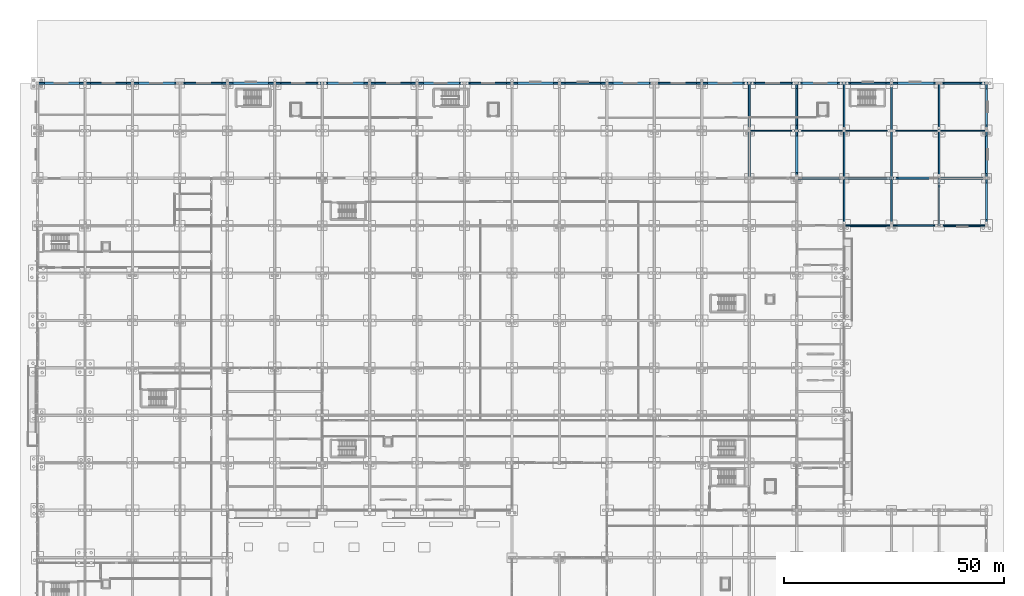
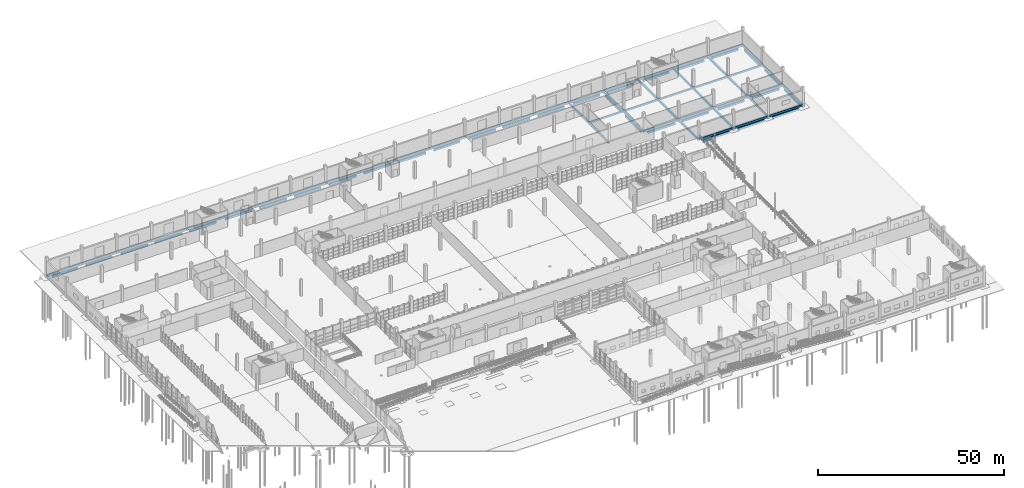
# One storey, part 78 of 138: 80 beams.
"""IFC4 building model written with IfcOpenShell, lengths in metres."""

from ifc_helpers import new_model, si_unit, direction, frame, origin, origin_2d, place, context, subcontext, project, spatial, rectangle, extrude, material, material_profile, profile_set, type_object, element, save


model = new_model("IFC4")

# Units and contexts
model_context = context("Model", 3, precision=1e-05, world=origin(), true_north=direction((0.0, 1.0)))
body_context = subcontext(model_context, "Body", "Model", "MODEL_VIEW")
ifc_project = project(units=[si_unit("LENGTHUNIT", "METRE"), si_unit("AREAUNIT", "SQUARE_METRE"), si_unit("VOLUMEUNIT", "CUBIC_METRE"), si_unit("PLANEANGLEUNIT", "RADIAN"), si_unit("MASSUNIT", "GRAM", prefix="KILO")], contexts=[model_context])

# Site, building, storey
site_placement = place(None, origin())
site = spatial("IfcSite", under=ifc_project, at=site_placement, CompositionType="ELEMENT")
building_placement = place(site_placement, origin())
building = spatial("IfcBuilding", under=site, at=building_placement, Name="Zwinboog Wholesale Market", CompositionType="ELEMENT")
storey_placement = place(building_placement, origin())
storey = spatial("IfcBuildingStorey", under=building, at=storey_placement, Name="L00", CompositionType="ELEMENT", Elevation=0.0)

# Beams
ifc_material_1 = material(Name="Precast concrete C45/55", Category="concrete")
ifc_material_profile_1 = material_profile(ifc_material_1, rectangle(XDim=0.39990234375, YDim=0.64990234375, at=origin_2d()), Name="PC 400x650")
ifc_profile_set_1 = profile_set([ifc_material_profile_1], Name="Precast concrete C45/55")
beam_type_1 = type_object("IfcBeamType", Name="BT-05", PredefinedType="BEAM", material=ifc_profile_set_1)
beam_1_placement = place(storey_placement, frame((172.800048828125, 108.0, -0.719970703125), z_axis=(1.0, 0.0, 0.0), x_axis=(0.0, 1.0, 0.0)))
element("IfcBeam", 1, at=beam_1_placement, inside=storey, type_object=beam_type_1, Name="BG-05 (BMG-L00-1728-1080-0167)", PredefinedType="BEAM", context=body_context, shape_type="SweptSolid", body=[
    extrude(rectangle(XDim=0.39990234375, YDim=0.64990234375, at=origin_2d()), origin(), (0.0, 0.0, 1.0), 10.800048828125),
])
beam_2_placement = place(storey_placement, frame((183.60009765625, 108.0, -0.719970703125), z_axis=(1.0, 0.0, 0.0), x_axis=(0.0, 1.0, 0.0)))
element("IfcBeam", 2, at=beam_2_placement, inside=storey, type_object=beam_type_1, Name="BG-05 (BMG-L00-1836-1080-0168)", PredefinedType="BEAM", context=body_context, shape_type="SweptSolid", body=[
    extrude(rectangle(XDim=0.39990234375, YDim=0.64990234375, at=origin_2d()), origin(), (0.0, 0.0, 1.0), 10.7998046875),
])
for number, where, z_axis, x_axis, name in (
    (3, (194.39990234375, 108.0, -0.719970703125), (1.0, 0.0, 0.0), (0.0, 1.0, 0.0), "BG-05 (BMG-L00-1944-1080-0169)"),
    (4, (205.199951171875, 108.0, -0.719970703125), (1.0, 0.0, 0.0), (0.0, 1.0, 0.0), "BG-05 (BMG-L00-2052-1080-0170)"),
    (5, (0.0, 129.60009765625, -0.675048828125), (1.0, 0.0, 0.0), (0.0, 1.0, 0.0), "BG-05 (BMG-L00-0000-1296-0191)"),
    (6, (10.800048828125, 129.60009765625, -0.675048828125), (1.0, 0.0, 0.0), (0.0, 1.0, 0.0), "BG-05 (BMG-L00-0108-1296-0192)"),
):
    element("IfcBeam", number, at=place(storey_placement, frame(where, z_axis=z_axis, x_axis=x_axis)), inside=storey, type_object=beam_type_1, Name=name, PredefinedType="BEAM", context=body_context, shape_type="SweptSolid", body=[
        extrude(rectangle(XDim=0.39990234375, YDim=0.64990234375, at=origin_2d()), origin(), (0.0, 0.0, 1.0), 10.800048828125),
    ])
beam_3_placement = place(storey_placement, frame((21.60009765625, 129.60009765625, -0.675048828125), z_axis=(1.0, 0.0, 0.0), x_axis=(0.0, 1.0, 0.0)))
element("IfcBeam", 7, at=beam_3_placement, inside=storey, type_object=beam_type_1, Name="BG-05 (BMG-L00-0216-1296-0193)", PredefinedType="BEAM", context=body_context, shape_type="SweptSolid", body=[
    extrude(rectangle(XDim=0.39990234375, YDim=0.64990234375, at=origin_2d()), origin(), (0.0, 0.0, 1.0), 10.7998046875),
])
for number, where, z_axis, x_axis, name in (
    (8, (32.39990234375, 129.60009765625, -0.705078125), (1.0, 0.0, 0.0), (0.0, 1.0, 0.0), "BG-05 (BMG-L00-0324-1296-0194)"),
    (9, (43.199951171875, 129.60009765625, -0.705078125), (1.0, 0.0, 0.0), (0.0, 1.0, 0.0), "BG-05 (BMG-L00-0432-1296-0195)"),
    (10, (54.0, 129.60009765625, -0.705078125), (1.0, 0.0, 0.0), (0.0, 1.0, 0.0), "BG-05 (BMG-L00-0540-1296-0196)"),
    (11, (64.800048828125, 129.60009765625, -0.705078125), (1.0, 0.0, 0.0), (0.0, 1.0, 0.0), "BG-05 (BMG-L00-0648-1296-0197)"),
):
    element("IfcBeam", number, at=place(storey_placement, frame(where, z_axis=z_axis, x_axis=x_axis)), inside=storey, type_object=beam_type_1, Name=name, PredefinedType="BEAM", context=body_context, shape_type="SweptSolid", body=[
        extrude(rectangle(XDim=0.39990234375, YDim=0.64990234375, at=origin_2d()), origin(), (0.0, 0.0, 1.0), 10.800048828125),
    ])
beam_4_placement = place(storey_placement, frame((75.60009765625, 129.60009765625, -0.705078125), z_axis=(1.0, 0.0, 0.0), x_axis=(0.0, 1.0, 0.0)))
element("IfcBeam", 12, at=beam_4_placement, inside=storey, type_object=beam_type_1, Name="BG-05 (BMG-L00-0756-1296-0198)", PredefinedType="BEAM", context=body_context, shape_type="SweptSolid", body=[
    extrude(rectangle(XDim=0.39990234375, YDim=0.64990234375, at=origin_2d()), origin(), (0.0, 0.0, 1.0), 10.7998046875),
])
for number, where, z_axis, x_axis, name in (
    (13, (86.39990234375, 129.60009765625, -0.705078125), (1.0, 0.0, 0.0), (0.0, 1.0, 0.0), "BG-05 (BMG-L00-0864-1296-0199)"),
    (14, (97.199951171875, 129.60009765625, -0.6669921875), (1.0, 0.0, 0.0), (0.0, 1.0, 0.0), "BG-05 (BMG-L00-0972-1296-0200)"),
    (15, (108.0, 129.60009765625, -0.6669921875), (1.0, 0.0, 0.0), (0.0, 1.0, 0.0), "BG-05 (BMG-L00-1080-1296-0201)"),
    (16, (118.800048828125, 129.60009765625, -0.6669921875), (1.0, 0.0, 0.0), (0.0, 1.0, 0.0), "BG-05 (BMG-L00-1188-1296-0202)"),
):
    element("IfcBeam", number, at=place(storey_placement, frame(where, z_axis=z_axis, x_axis=x_axis)), inside=storey, type_object=beam_type_1, Name=name, PredefinedType="BEAM", context=body_context, shape_type="SweptSolid", body=[
        extrude(rectangle(XDim=0.39990234375, YDim=0.64990234375, at=origin_2d()), origin(), (0.0, 0.0, 1.0), 10.800048828125),
    ])
beam_5_placement = place(storey_placement, frame((129.60009765625, 129.60009765625, -0.6669921875), z_axis=(1.0, 0.0, 0.0), x_axis=(0.0, 1.0, 0.0)))
element("IfcBeam", 17, at=beam_5_placement, inside=storey, type_object=beam_type_1, Name="BG-05 (BMG-L00-1296-1296-0203)", PredefinedType="BEAM", context=body_context, shape_type="SweptSolid", body=[
    extrude(rectangle(XDim=0.39990234375, YDim=0.64990234375, at=origin_2d()), origin(), (0.0, 0.0, 1.0), 10.7998046875),
])
for number, where, z_axis, x_axis, name in (
    (18, (140.39990234375, 129.60009765625, -0.659912109375), (1.0, 0.0, 0.0), (0.0, 1.0, 0.0), "BG-05 (BMG-L00-1404-1296-0204)"),
    (19, (151.199951171875, 129.60009765625, -0.659912109375), (1.0, 0.0, 0.0), (0.0, 1.0, 0.0), "BG-05 (BMG-L00-1512-1296-0205)"),
    (20, (162.0, 129.60009765625, -0.68994140625), (1.0, 0.0, 0.0), (0.0, 1.0, 0.0), "BG-05 (BMG-L00-1620-1296-0206)"),
    (21, (172.800048828125, 129.60009765625, -0.68994140625), (1.0, 0.0, 0.0), (0.0, 1.0, 0.0), "BG-05 (BMG-L00-1728-1296-0207)"),
):
    element("IfcBeam", number, at=place(storey_placement, frame(where, z_axis=z_axis, x_axis=x_axis)), inside=storey, type_object=beam_type_1, Name=name, PredefinedType="BEAM", context=body_context, shape_type="SweptSolid", body=[
        extrude(rectangle(XDim=0.39990234375, YDim=0.64990234375, at=origin_2d()), origin(), (0.0, 0.0, 1.0), 10.800048828125),
    ])
beam_6_placement = place(storey_placement, frame((183.60009765625, 129.60009765625, -0.68994140625), z_axis=(1.0, 0.0, 0.0), x_axis=(0.0, 1.0, 0.0)))
element("IfcBeam", 22, at=beam_6_placement, inside=storey, type_object=beam_type_1, Name="BG-05 (BMG-L00-1836-1296-0208)", PredefinedType="BEAM", context=body_context, shape_type="SweptSolid", body=[
    extrude(rectangle(XDim=0.39990234375, YDim=0.64990234375, at=origin_2d()), origin(), (0.0, 0.0, 1.0), 10.7998046875),
])
for number, where, z_axis, x_axis, name in (
    (23, (194.39990234375, 129.60009765625, -0.68994140625), (1.0, 0.0, 0.0), (0.0, 1.0, 0.0), "BG-05 (BMG-L00-1944-1296-0209)"),
    (24, (205.199951171875, 129.60009765625, -0.68994140625), (1.0, 0.0, 0.0), (0.0, 1.0, 0.0), "BG-05 (BMG-L00-2052-1296-0210)"),
    (25, (162.0, 108.0, -0.680908203125), (0.0, 1.0, 0.0), (-1.0, 0.0, 0.0), "BG-05 (BMG-L00-1620-1080-0375)"),
    (26, (162.0, 118.800048828125, -0.659912109375), (0.0, 1.0, 0.0), (-1.0, 0.0, 0.0), "BG-05 (BMG-L00-1620-1188-0376)"),
    (27, (172.800048828125, 108.0, -0.719970703125), (0.0, 1.0, 0.0), (-1.0, 0.0, 0.0), "BG-05 (BMG-L00-1728-1080-0387)"),
    (28, (172.800048828125, 118.800048828125, -0.68994140625), (0.0, 1.0, 0.0), (-1.0, 0.0, 0.0), "BG-05 (BMG-L00-1728-1188-0388)"),
    (29, (183.60009765625, 97.199951171875, -0.719970703125), (0.0, 1.0, 0.0), (-1.0, 0.0, 0.0), "BG-05 (BMG-L00-1836-0972-0392)"),
    (30, (183.60009765625, 108.0, -0.719970703125), (0.0, 1.0, 0.0), (-1.0, 0.0, 0.0), "BG-05 (BMG-L00-1836-1080-0393)"),
    (31, (183.60009765625, 118.800048828125, -0.68994140625), (0.0, 1.0, 0.0), (-1.0, 0.0, 0.0), "BG-05 (BMG-L00-1836-1188-0394)"),
    (32, (194.39990234375, 97.199951171875, -0.719970703125), (0.0, 1.0, 0.0), (-1.0, 0.0, 0.0), "BG-05 (BMG-L00-1944-0972-0398)"),
    (33, (194.39990234375, 108.0, -0.719970703125), (0.0, 1.0, 0.0), (-1.0, 0.0, 0.0), "BG-05 (BMG-L00-1944-1080-0399)"),
    (34, (194.39990234375, 118.800048828125, -0.68994140625), (0.0, 1.0, 0.0), (-1.0, 0.0, 0.0), "BG-05 (BMG-L00-1944-1188-0400)"),
    (35, (205.199951171875, 97.199951171875, -0.719970703125), (0.0, 1.0, 0.0), (-1.0, 0.0, 0.0), "BG-05 (BMG-L00-2052-0972-0404)"),
    (36, (205.199951171875, 108.0, -0.719970703125), (0.0, 1.0, 0.0), (-1.0, 0.0, 0.0), "BG-05 (BMG-L00-2052-1080-0405)"),
    (37, (205.199951171875, 118.800048828125, -0.68994140625), (0.0, 1.0, 0.0), (-1.0, 0.0, 0.0), "BG-05 (BMG-L00-2052-1188-0406)"),
    (38, (216.0, 97.199951171875, -0.719970703125), (0.0, 1.0, 0.0), (-1.0, 0.0, 0.0), "BG-05 (BMG-L00-2160-0972-0410)"),
    (39, (216.0, 108.0, -0.719970703125), (0.0, 1.0, 0.0), (-1.0, 0.0, 0.0), "BG-05 (BMG-L00-2160-1080-0411)"),
    (40, (216.0, 118.800048828125, -0.68994140625), (0.0, 1.0, 0.0), (-1.0, 0.0, 0.0), "BG-05 (BMG-L00-2160-1188-0412)"),
):
    element("IfcBeam", number, at=place(storey_placement, frame(where, z_axis=z_axis, x_axis=x_axis)), inside=storey, type_object=beam_type_1, Name=name, PredefinedType="BEAM", context=body_context, shape_type="SweptSolid", body=[
        extrude(rectangle(XDim=0.39990234375, YDim=0.64990234375, at=origin_2d()), origin(), (0.0, 0.0, 1.0), 10.800048828125),
    ])
ifc_material_profile_2 = material_profile(ifc_material_1, rectangle(XDim=0.300048828125, YDim=0.60009765625, at=origin_2d()), Name="PC 300x600")
ifc_profile_set_2 = profile_set([ifc_material_profile_2], Name="Precast concrete C45/55")
beam_type_2 = type_object("IfcBeamType", Name="BT-09", PredefinedType="SPANDREL", material=ifc_profile_set_2)
beam_7_placement = place(storey_placement, frame((183.60009765625, 97.199951171875, -0.695068359375), z_axis=(1.0, 0.0, 0.0), x_axis=(0.0, 1.0, 0.0)))
element("IfcBeam", 41, at=beam_7_placement, inside=storey, type_object=beam_type_2, Name="SP-02 (BMG-L00-1836-0972-0148)", PredefinedType="SPANDREL", context=body_context, shape_type="SweptSolid", body=[
    extrude(rectangle(XDim=0.300048828125, YDim=0.60009765625, at=origin_2d()), origin(), (0.0, 0.0, 1.0), 10.7998046875),
])
for number, where, z_axis, x_axis, name in (
    (42, (194.39990234375, 97.199951171875, -0.695068359375), (1.0, 0.0, 0.0), (0.0, 1.0, 0.0), "SP-02 (BMG-L00-1944-0972-0149)"),
    (43, (205.199951171875, 97.199951171875, -0.695068359375), (1.0, 0.0, 0.0), (0.0, 1.0, 0.0), "SP-02 (BMG-L00-2052-0972-0150)"),
    (44, (162.0, 118.800048828125, -0.6650390625), (1.0, 0.0, 0.0), (0.0, 1.0, 0.0), "SP-02 (BMG-L00-1620-1188-0186)"),
    (45, (172.800048828125, 118.800048828125, -0.6650390625), (1.0, 0.0, 0.0), (0.0, 1.0, 0.0), "SP-02 (BMG-L00-1728-1188-0187)"),
):
    element("IfcBeam", number, at=place(storey_placement, frame(where, z_axis=z_axis, x_axis=x_axis)), inside=storey, type_object=beam_type_2, Name=name, PredefinedType="SPANDREL", context=body_context, shape_type="SweptSolid", body=[
        extrude(rectangle(XDim=0.300048828125, YDim=0.60009765625, at=origin_2d()), origin(), (0.0, 0.0, 1.0), 10.800048828125),
    ])
beam_8_placement = place(storey_placement, frame((183.60009765625, 118.800048828125, -0.6650390625), z_axis=(1.0, 0.0, 0.0), x_axis=(0.0, 1.0, 0.0)))
element("IfcBeam", 46, at=beam_8_placement, inside=storey, type_object=beam_type_2, Name="SP-02 (BMG-L00-1836-1188-0188)", PredefinedType="SPANDREL", context=body_context, shape_type="SweptSolid", body=[
    extrude(rectangle(XDim=0.300048828125, YDim=0.60009765625, at=origin_2d()), origin(), (0.0, 0.0, 1.0), 10.7998046875),
])
for number, where, z_axis, x_axis, name in (
    (47, (194.39990234375, 118.800048828125, -0.6650390625), (1.0, 0.0, 0.0), (0.0, 1.0, 0.0), "SP-02 (BMG-L00-1944-1188-0189)"),
    (48, (205.199951171875, 118.800048828125, -0.6650390625), (1.0, 0.0, 0.0), (0.0, 1.0, 0.0), "SP-02 (BMG-L00-2052-1188-0190)"),
):
    element("IfcBeam", number, at=place(storey_placement, frame(where, z_axis=z_axis, x_axis=x_axis)), inside=storey, type_object=beam_type_2, Name=name, PredefinedType="SPANDREL", context=body_context, shape_type="SweptSolid", body=[
        extrude(rectangle(XDim=0.300048828125, YDim=0.60009765625, at=origin_2d()), origin(), (0.0, 0.0, 1.0), 10.800048828125),
    ])
ifc_material_2 = material(Name="Concrete C35/45", Category="concrete")
ifc_material_profile_3 = material_profile(ifc_material_2, rectangle(XDim=0.5, YDim=0.699951171875, at=origin_2d()), Name="RC 500x700")
ifc_profile_set_3 = profile_set([ifc_material_profile_3], Name="Concrete C35/45")
beam_type_3 = type_object("IfcBeamType", Name="BT-12", PredefinedType="USERDEFINED", material=ifc_profile_set_3)
beam_9_placement = place(storey_placement, frame((195.655029296875, 97.199951171875, -1.550048828125), z_axis=(1.0, 0.0, 0.0), x_axis=(0.0, 1.0, 0.0)))
element("IfcBeam", 49, at=beam_9_placement, inside=storey, type_object=beam_type_3, Name="GB-01 (BM-GB-0085)", ObjectType="GROUND_BEAM", PredefinedType="USERDEFINED", context=body_context, shape_type="SweptSolid", body=[
    extrude(rectangle(XDim=0.5, YDim=0.699951171875, at=origin_2d()), origin(), (0.0, 0.0, 1.0), 8.340087890625),
])
beam_10_placement = place(storey_placement, frame((174.054931640625, 108.0, -1.550048828125), z_axis=(1.0, 0.0, 0.0), x_axis=(0.0, 1.0, 0.0)))
element("IfcBeam", 50, at=beam_10_placement, inside=storey, type_object=beam_type_3, Name="GB-01 (BM-GB-0103)", ObjectType="GROUND_BEAM", PredefinedType="USERDEFINED", context=body_context, shape_type="SweptSolid", body=[
    extrude(rectangle(XDim=0.5, YDim=0.699951171875, at=origin_2d()), origin(), (0.0, 0.0, 1.0), 8.440185546875),
])
beam_11_placement = place(storey_placement, frame((195.85498046875, 108.0, -1.550048828125), z_axis=(1.0, 0.0, 0.0), x_axis=(0.0, 1.0, 0.0)))
element("IfcBeam", 51, at=beam_11_placement, inside=storey, type_object=beam_type_3, Name="GB-01 (BM-GB-0105)", ObjectType="GROUND_BEAM", PredefinedType="USERDEFINED", context=body_context, shape_type="SweptSolid", body=[
    extrude(rectangle(XDim=0.5, YDim=0.699951171875, at=origin_2d()), origin(), (0.0, 0.0, 1.0), 8.0400390625),
])
beam_12_placement = place(storey_placement, frame((1.554931640625, 129.60009765625, -1.550048828125), z_axis=(1.0, 0.0, 0.0), x_axis=(0.0, 1.0, 0.0)))
element("IfcBeam", 52, at=beam_12_placement, inside=storey, type_object=beam_type_3, Name="GB-01 (BM-GB-0107)", ObjectType="GROUND_BEAM", PredefinedType="USERDEFINED", context=body_context, shape_type="SweptSolid", body=[
    extrude(rectangle(XDim=0.5, YDim=0.699951171875, at=origin_2d()), origin(), (0.0, 0.0, 1.0), 7.940185546875),
])
beam_13_placement = place(storey_placement, frame((23.0048828125, 129.60009765625, -1.550048828125), z_axis=(1.0, 0.0, 0.0), x_axis=(0.0, 1.0, 0.0)))
element("IfcBeam", 53, at=beam_13_placement, inside=storey, type_object=beam_type_3, Name="GB-01 (BM-GB-0109)", ObjectType="GROUND_BEAM", PredefinedType="USERDEFINED", context=body_context, shape_type="SweptSolid", body=[
    extrude(rectangle(XDim=0.5, YDim=0.699951171875, at=origin_2d()), origin(), (0.0, 0.0, 1.0), 8.2900390625),
])
beam_14_placement = place(storey_placement, frame((44.455078125, 129.60009765625, -1.550048828125), z_axis=(1.0, 0.0, 0.0), x_axis=(0.0, 1.0, 0.0)))
element("IfcBeam", 54, at=beam_14_placement, inside=storey, type_object=beam_type_3, Name="GB-01 (BM-GB-0111)", ObjectType="GROUND_BEAM", PredefinedType="USERDEFINED", context=body_context, shape_type="SweptSolid", body=[
    extrude(rectangle(XDim=0.5, YDim=0.699951171875, at=origin_2d()), origin(), (0.0, 0.0, 1.0), 8.139892578125),
])
beam_15_placement = place(storey_placement, frame((66.0048828125, 129.60009765625, -1.550048828125), z_axis=(1.0, 0.0, 0.0), x_axis=(0.0, 1.0, 0.0)))
element("IfcBeam", 55, at=beam_15_placement, inside=storey, type_object=beam_type_3, Name="GB-01 (BM-GB-0113)", ObjectType="GROUND_BEAM", PredefinedType="USERDEFINED", context=body_context, shape_type="SweptSolid", body=[
    extrude(rectangle(XDim=0.5, YDim=0.699951171875, at=origin_2d()), origin(), (0.0, 0.0, 1.0), 8.340087890625),
])
for number, where, z_axis, x_axis, name in (
    (56, (87.804931640625, 129.60009765625, -1.550048828125), (1.0, 0.0, 0.0), (0.0, 1.0, 0.0), "GB-01 (BM-GB-0115)"),
    (57, (109.304931640625, 129.60009765625, -1.550048828125), (1.0, 0.0, 0.0), (0.0, 1.0, 0.0), "GB-01 (BM-GB-0117)"),
):
    element("IfcBeam", number, at=place(storey_placement, frame(where, z_axis=z_axis, x_axis=x_axis)), inside=storey, type_object=beam_type_3, Name=name, ObjectType="GROUND_BEAM", PredefinedType="USERDEFINED", context=body_context, shape_type="SweptSolid", body=[
        extrude(rectangle(XDim=0.5, YDim=0.699951171875, at=origin_2d()), origin(), (0.0, 0.0, 1.0), 8.190185546875),
    ])
beam_16_placement = place(storey_placement, frame((131.0048828125, 129.60009765625, -1.550048828125), z_axis=(1.0, 0.0, 0.0), x_axis=(0.0, 1.0, 0.0)))
element("IfcBeam", 58, at=beam_16_placement, inside=storey, type_object=beam_type_3, Name="GB-01 (BM-GB-0119)", ObjectType="GROUND_BEAM", PredefinedType="USERDEFINED", context=body_context, shape_type="SweptSolid", body=[
    extrude(rectangle(XDim=0.5, YDim=0.699951171875, at=origin_2d()), origin(), (0.0, 0.0, 1.0), 8.2900390625),
])
beam_17_placement = place(storey_placement, frame((152.455078125, 129.60009765625, -1.550048828125), z_axis=(1.0, 0.0, 0.0), x_axis=(0.0, 1.0, 0.0)))
element("IfcBeam", 59, at=beam_17_placement, inside=storey, type_object=beam_type_3, Name="GB-01 (BM-GB-0121)", ObjectType="GROUND_BEAM", PredefinedType="USERDEFINED", context=body_context, shape_type="SweptSolid", body=[
    extrude(rectangle(XDim=0.5, YDim=0.699951171875, at=origin_2d()), origin(), (0.0, 0.0, 1.0), 8.08984375),
])
beam_18_placement = place(storey_placement, frame((174.0048828125, 129.60009765625, -1.550048828125), z_axis=(1.0, 0.0, 0.0), x_axis=(0.0, 1.0, 0.0)))
element("IfcBeam", 60, at=beam_18_placement, inside=storey, type_object=beam_type_3, Name="GB-01 (BM-GB-0123)", ObjectType="GROUND_BEAM", PredefinedType="USERDEFINED", context=body_context, shape_type="SweptSolid", body=[
    extrude(rectangle(XDim=0.5, YDim=0.699951171875, at=origin_2d()), origin(), (0.0, 0.0, 1.0), 8.14013671875),
])
beam_19_placement = place(storey_placement, frame((195.705078125, 129.60009765625, -1.550048828125), z_axis=(1.0, 0.0, 0.0), x_axis=(0.0, 1.0, 0.0)))
element("IfcBeam", 61, at=beam_19_placement, inside=storey, type_object=beam_type_3, Name="GB-01 (BM-GB-0125)", ObjectType="GROUND_BEAM", PredefinedType="USERDEFINED", context=body_context, shape_type="SweptSolid", body=[
    extrude(rectangle(XDim=0.5, YDim=0.699951171875, at=origin_2d()), origin(), (0.0, 0.0, 1.0), 8.389892578125),
])
for number, where, z_axis, x_axis, name in (
    (62, (172.800048828125, 109.2548828125, -1.550048828125), (0.0, 1.0, 0.0), (-1.0, 0.0, 0.0), "GB-01 (BM-GB-0206)"),
    (63, (216.0, 98.60498046875, -1.550048828125), (0.0, 1.0, 0.0), (-1.0, 0.0, 0.0), "GB-01 (BM-GB-0214)"),
    (64, (216.0, 120.054931640625, -1.550048828125), (0.0, 1.0, 0.0), (-1.0, 0.0, 0.0), "GB-01 (BM-GB-0216)"),
):
    element("IfcBeam", number, at=place(storey_placement, frame(where, z_axis=z_axis, x_axis=x_axis)), inside=storey, type_object=beam_type_3, Name=name, ObjectType="GROUND_BEAM", PredefinedType="USERDEFINED", context=body_context, shape_type="SweptSolid", body=[
        extrude(rectangle(XDim=0.5, YDim=0.699951171875, at=origin_2d()), origin(), (0.0, 0.0, 1.0), 8.2900390625),
    ])
ifc_material_profile_4 = material_profile(ifc_material_2, rectangle(XDim=0.449951171875, YDim=0.64990234375, at=origin_2d()), Name="RC 450x650")
ifc_profile_set_4 = profile_set([ifc_material_profile_4], Name="Concrete C35/45")
beam_type_4 = type_object("IfcBeamType", Name="BT-13", PredefinedType="USERDEFINED", material=ifc_profile_set_4)
beam_20_placement = place(storey_placement, frame((185.0048828125, 97.199951171875, -1.52490234375), z_axis=(1.0, 0.0, 0.0), x_axis=(0.0, 1.0, 0.0)))
element("IfcBeam", 65, at=beam_20_placement, inside=storey, type_object=beam_type_4, Name="GB-02 (BM-GB-0084)", ObjectType="GROUND_BEAM", PredefinedType="USERDEFINED", context=body_context, shape_type="SweptSolid", body=[
    extrude(rectangle(XDim=0.449951171875, YDim=0.64990234375, at=origin_2d()), origin(), (0.0, 0.0, 1.0), 8.14013671875),
])
beam_21_placement = place(storey_placement, frame((206.405029296875, 97.199951171875, -1.52490234375), z_axis=(1.0, 0.0, 0.0), x_axis=(0.0, 1.0, 0.0)))
element("IfcBeam", 66, at=beam_21_placement, inside=storey, type_object=beam_type_4, Name="GB-02 (BM-GB-0086)", ObjectType="GROUND_BEAM", PredefinedType="USERDEFINED", context=body_context, shape_type="SweptSolid", body=[
    extrude(rectangle(XDim=0.449951171875, YDim=0.64990234375, at=origin_2d()), origin(), (0.0, 0.0, 1.0), 8.18994140625),
])
beam_22_placement = place(storey_placement, frame((184.705078125, 108.0, -1.52490234375), z_axis=(1.0, 0.0, 0.0), x_axis=(0.0, 1.0, 0.0)))
element("IfcBeam", 67, at=beam_22_placement, inside=storey, type_object=beam_type_4, Name="GB-02 (BM-GB-0104)", ObjectType="GROUND_BEAM", PredefinedType="USERDEFINED", context=body_context, shape_type="SweptSolid", body=[
    extrude(rectangle(XDim=0.449951171875, YDim=0.64990234375, at=origin_2d()), origin(), (0.0, 0.0, 1.0), 8.239990234375),
])
beam_23_placement = place(storey_placement, frame((206.5048828125, 108.0, -1.52490234375), z_axis=(1.0, 0.0, 0.0), x_axis=(0.0, 1.0, 0.0)))
element("IfcBeam", 68, at=beam_23_placement, inside=storey, type_object=beam_type_4, Name="GB-02 (BM-GB-0106)", ObjectType="GROUND_BEAM", PredefinedType="USERDEFINED", context=body_context, shape_type="SweptSolid", body=[
    extrude(rectangle(XDim=0.449951171875, YDim=0.64990234375, at=origin_2d()), origin(), (0.0, 0.0, 1.0), 8.39013671875),
])
beam_24_placement = place(storey_placement, frame((12.10498046875, 129.60009765625, -1.52490234375), z_axis=(1.0, 0.0, 0.0), x_axis=(0.0, 1.0, 0.0)))
element("IfcBeam", 69, at=beam_24_placement, inside=storey, type_object=beam_type_4, Name="GB-02 (BM-GB-0108)", ObjectType="GROUND_BEAM", PredefinedType="USERDEFINED", context=body_context, shape_type="SweptSolid", body=[
    extrude(rectangle(XDim=0.449951171875, YDim=0.64990234375, at=origin_2d()), origin(), (0.0, 0.0, 1.0), 8.090087890625),
])
beam_25_placement = place(storey_placement, frame((33.5048828125, 129.60009765625, -1.52490234375), z_axis=(1.0, 0.0, 0.0), x_axis=(0.0, 1.0, 0.0)))
element("IfcBeam", 70, at=beam_25_placement, inside=storey, type_object=beam_type_4, Name="GB-02 (BM-GB-0110)", ObjectType="GROUND_BEAM", PredefinedType="USERDEFINED", context=body_context, shape_type="SweptSolid", body=[
    extrude(rectangle(XDim=0.449951171875, YDim=0.64990234375, at=origin_2d()), origin(), (0.0, 0.0, 1.0), 8.440185546875),
])
beam_26_placement = place(storey_placement, frame((55.405029296875, 129.60009765625, -1.52490234375), z_axis=(1.0, 0.0, 0.0), x_axis=(0.0, 1.0, 0.0)))
element("IfcBeam", 71, at=beam_26_placement, inside=storey, type_object=beam_type_4, Name="GB-02 (BM-GB-0112)", ObjectType="GROUND_BEAM", PredefinedType="USERDEFINED", context=body_context, shape_type="SweptSolid", body=[
    extrude(rectangle(XDim=0.449951171875, YDim=0.64990234375, at=origin_2d()), origin(), (0.0, 0.0, 1.0), 8.18994140625),
])
beam_27_placement = place(storey_placement, frame((76.85498046875, 129.60009765625, -1.52490234375), z_axis=(1.0, 0.0, 0.0), x_axis=(0.0, 1.0, 0.0)))
element("IfcBeam", 72, at=beam_27_placement, inside=storey, type_object=beam_type_4, Name="GB-02 (BM-GB-0114)", ObjectType="GROUND_BEAM", PredefinedType="USERDEFINED", context=body_context, shape_type="SweptSolid", body=[
    extrude(rectangle(XDim=0.449951171875, YDim=0.64990234375, at=origin_2d()), origin(), (0.0, 0.0, 1.0), 8.14013671875),
])
beam_28_placement = place(storey_placement, frame((98.405029296875, 129.60009765625, -1.52490234375), z_axis=(1.0, 0.0, 0.0), x_axis=(0.0, 1.0, 0.0)))
element("IfcBeam", 73, at=beam_28_placement, inside=storey, type_object=beam_type_4, Name="GB-02 (BM-GB-0116)", ObjectType="GROUND_BEAM", PredefinedType="USERDEFINED", context=body_context, shape_type="SweptSolid", body=[
    extrude(rectangle(XDim=0.449951171875, YDim=0.64990234375, at=origin_2d()), origin(), (0.0, 0.0, 1.0), 8.2900390625),
])
beam_29_placement = place(storey_placement, frame((120.10498046875, 129.60009765625, -1.52490234375), z_axis=(1.0, 0.0, 0.0), x_axis=(0.0, 1.0, 0.0)))
element("IfcBeam", 74, at=beam_29_placement, inside=storey, type_object=beam_type_4, Name="GB-02 (BM-GB-0118)", ObjectType="GROUND_BEAM", PredefinedType="USERDEFINED", context=body_context, shape_type="SweptSolid", body=[
    extrude(rectangle(XDim=0.449951171875, YDim=0.64990234375, at=origin_2d()), origin(), (0.0, 0.0, 1.0), 8.090087890625),
])
beam_30_placement = place(storey_placement, frame((141.5048828125, 129.60009765625, -1.52490234375), z_axis=(1.0, 0.0, 0.0), x_axis=(0.0, 1.0, 0.0)))
element("IfcBeam", 75, at=beam_30_placement, inside=storey, type_object=beam_type_4, Name="GB-02 (BM-GB-0120)", ObjectType="GROUND_BEAM", PredefinedType="USERDEFINED", context=body_context, shape_type="SweptSolid", body=[
    extrude(rectangle(XDim=0.449951171875, YDim=0.64990234375, at=origin_2d()), origin(), (0.0, 0.0, 1.0), 8.440185546875),
])
beam_31_placement = place(storey_placement, frame((163.455078125, 129.60009765625, -1.52490234375), z_axis=(1.0, 0.0, 0.0), x_axis=(0.0, 1.0, 0.0)))
element("IfcBeam", 76, at=beam_31_placement, inside=storey, type_object=beam_type_4, Name="GB-02 (BM-GB-0122)", ObjectType="GROUND_BEAM", PredefinedType="USERDEFINED", context=body_context, shape_type="SweptSolid", body=[
    extrude(rectangle(XDim=0.449951171875, YDim=0.64990234375, at=origin_2d()), origin(), (0.0, 0.0, 1.0), 8.139892578125),
])
beam_32_placement = place(storey_placement, frame((185.054931640625, 129.60009765625, -1.52490234375), z_axis=(1.0, 0.0, 0.0), x_axis=(0.0, 1.0, 0.0)))
element("IfcBeam", 77, at=beam_32_placement, inside=storey, type_object=beam_type_4, Name="GB-02 (BM-GB-0124)", ObjectType="GROUND_BEAM", PredefinedType="USERDEFINED", context=body_context, shape_type="SweptSolid", body=[
    extrude(rectangle(XDim=0.449951171875, YDim=0.64990234375, at=origin_2d()), origin(), (0.0, 0.0, 1.0), 8.0400390625),
])
beam_33_placement = place(storey_placement, frame((206.304931640625, 129.60009765625, -1.52490234375), z_axis=(1.0, 0.0, 0.0), x_axis=(0.0, 1.0, 0.0)))
element("IfcBeam", 78, at=beam_33_placement, inside=storey, type_object=beam_type_4, Name="GB-02 (BM-GB-0126)", ObjectType="GROUND_BEAM", PredefinedType="USERDEFINED", context=body_context, shape_type="SweptSolid", body=[
    extrude(rectangle(XDim=0.449951171875, YDim=0.64990234375, at=origin_2d()), origin(), (0.0, 0.0, 1.0), 8.239990234375),
])
beam_34_placement = place(storey_placement, frame((172.800048828125, 120.054931640625, -1.52490234375), z_axis=(0.0, 1.0, 0.0), x_axis=(-1.0, 0.0, 0.0)))
element("IfcBeam", 79, at=beam_34_placement, inside=storey, type_object=beam_type_4, Name="GB-02 (BM-GB-0207)", ObjectType="GROUND_BEAM", PredefinedType="USERDEFINED", context=body_context, shape_type="SweptSolid", body=[
    extrude(rectangle(XDim=0.449951171875, YDim=0.64990234375, at=origin_2d()), origin(), (0.0, 0.0, 1.0), 8.340087890625),
])
beam_35_placement = place(storey_placement, frame((216.0, 109.10498046875, -1.52490234375), z_axis=(0.0, 1.0, 0.0), x_axis=(-1.0, 0.0, 0.0)))
element("IfcBeam", 80, at=beam_35_placement, inside=storey, type_object=beam_type_4, Name="GB-02 (BM-GB-0215)", ObjectType="GROUND_BEAM", PredefinedType="USERDEFINED", context=body_context, shape_type="SweptSolid", body=[
    extrude(rectangle(XDim=0.449951171875, YDim=0.64990234375, at=origin_2d()), origin(), (0.0, 0.0, 1.0), 8.43994140625),
])

save(model, "model.ifc")
